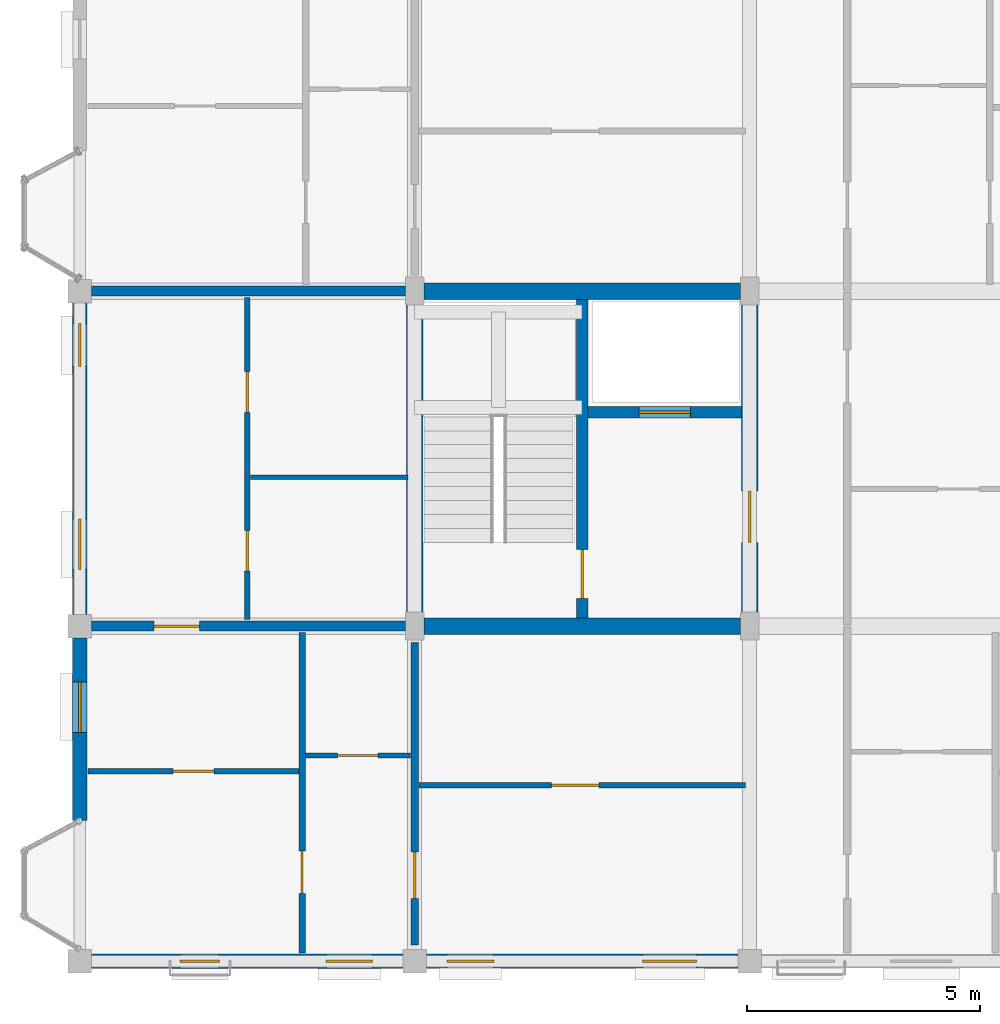
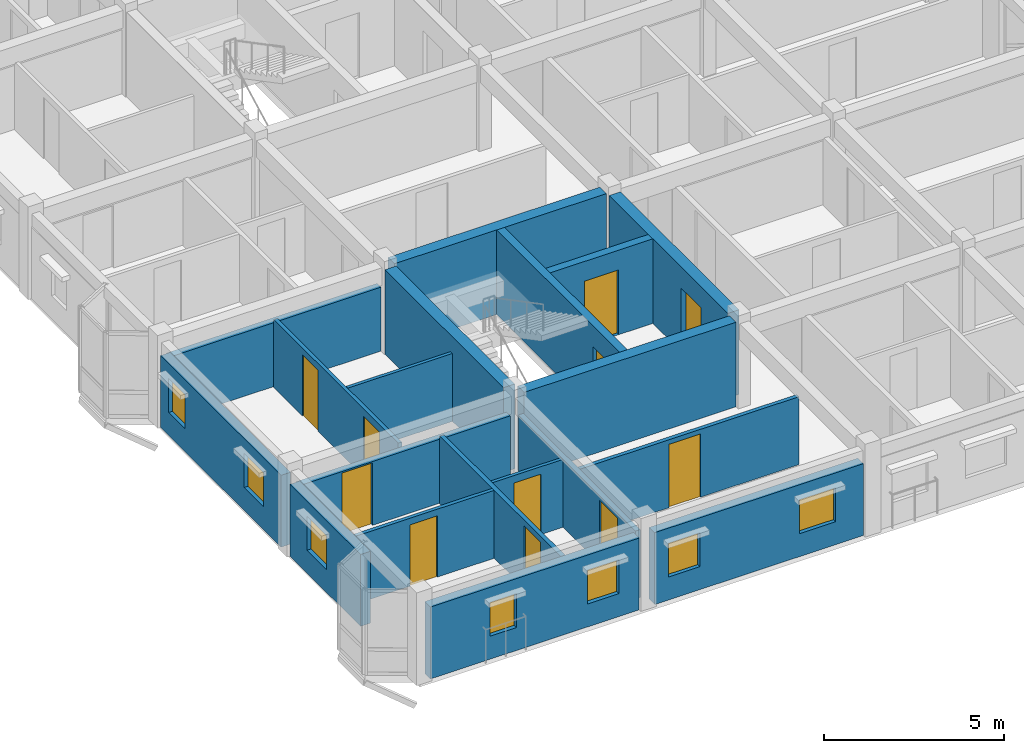
# One storey, part 39 of 64: 19 walls, 11 doors, 7 windows, 18 openings.
"""IFC4 building model written with IfcOpenShell, lengths in metres."""

from ifc_helpers import new_model, si_unit, direction, frame, frame_2d, origin, place, context, subcontext, project, spatial, rectangle, extrude, material, layer, layer_set, type_object, element, fill, save


model = new_model("IFC4")

# Units and contexts
model_context = context("Model", 3, precision=1e-05, world=origin(), true_north=direction((0.0, 1.0)))
body_context = subcontext(model_context, "Body", "Model", "MODEL_VIEW")
ifc_project = project(units=[si_unit("LENGTHUNIT", "METRE"), si_unit("AREAUNIT", "SQUARE_METRE"), si_unit("VOLUMEUNIT", "CUBIC_METRE"), si_unit("PLANEANGLEUNIT", "RADIAN"), si_unit("MASSUNIT", "GRAM", prefix="KILO"), si_unit("THERMODYNAMICTEMPERATUREUNIT", "KELVIN"), si_unit("POWERUNIT", "WATT")], contexts=[model_context])

# Site, building, storey
site_placement = place(None, origin())
site = spatial("IfcSite", under=ifc_project, at=site_placement, CompositionType="ELEMENT")
building_placement = place(site_placement, origin())
building = spatial("IfcBuilding", under=site, at=building_placement, Name="Tavuni Mirador Residences", CompositionType="ELEMENT")
storey_placement = place(building_placement, frame((0.0, 0.0, 26.550048828125)))
storey = spatial("IfcBuildingStorey", under=building, at=storey_placement, Name="L08", CompositionType="ELEMENT", Elevation=26.550048828125)

# Wall, opening, door
ifc_material_1 = material(Name="Precast concrete C40/50", Category="concrete")
ifc_layer_1 = layer(ifc_material_1, 0.25, Name="Precast concrete C40/50", Category="concrete")
ifc_layer_set_1 = layer_set([ifc_layer_1], Name="Precast concrete C40/50")
wall_type_1 = type_object("IfcWallType", Name="WT-COR250", PredefinedType="SHEAR", material=ifc_layer_set_1)
wall_1_placement = place(storey_placement, frame((14.39990234375, 14.580078125, 0.0), z_axis=(0.0, 0.0, 1.0), x_axis=(0.0, 1.0, 0.0)))
wall_1 = element("IfcWall", 1, at=wall_1_placement, inside=storey, type_object=wall_type_1, Name="CWALL-C1-L08-MID", PredefinedType="SHEAR", context=body_context, shape_type="SweptSolid", body=[
    extrude(rectangle(XDim=6.83984375, YDim=0.25, at=frame_2d((3.419921875, 0.0))), origin(), (0.0, 0.0, 1.0), 2.869873046875),
])
opening_1_placement = place(wall_1_placement, frame((0.419921875, 0.0, 0.0)))
opening_1 = element("IfcOpeningElement", 2, at=opening_1_placement, cuts=wall_1, Name="Opening D-01", PredefinedType="OPENING", context=body_context, shape_type="SweptSolid", body=[
    extrude(rectangle(XDim=1.050048828125, YDim=2.14990234375, at=frame_2d((0.52490234375, 1.074951171875))), frame((0.0, 0.135009765625, 0.0), z_axis=(0.0, -1.0, 0.0), x_axis=(1.0, 0.0, 0.0)), (0.0, 0.0, 1.0), 0.27001953125),
])
ifc_material_2 = material(Name="Solid core iroko timber", Category="wood")
door_type_1 = type_object("IfcDoorType", Name="DT-ST1050", OperationType="NOTDEFINED", PredefinedType="DOOR", material=ifc_material_2)
door_1_placement = place(opening_1_placement, origin())
door_1 = element("IfcDoor", 3, at=door_1_placement, inside=storey, type_object=door_type_1, Name="DR-2031", OperationType="SINGLE_SWING_LEFT", OverallHeight=2.14990234375, OverallWidth=1.050048828125, PredefinedType="DOOR", context=body_context, shape_type="SweptSolid", body=[
    extrude(rectangle(XDim=1.050048828125, YDim=2.14990234375, at=frame_2d((0.52490234375, 1.074951171875))), frame((0.0, 0.02490234375, 0.0), z_axis=(0.0, -1.0, 0.0), x_axis=(1.0, 0.0, 0.0)), (0.0, 0.0, 1.0), 0.050048828125),
])
fill(opening_1, door_1)

wall_2_placement = place(storey_placement, frame((14.52490234375, 19.0, 0.0), z_axis=(0.0, 0.0, 1.0), x_axis=(1.0, 0.0, 0.0)))
wall_2 = element("IfcWall", 4, at=wall_2_placement, inside=storey, type_object=wall_type_1, Name="CWALL-C1-L08-SHF", PredefinedType="SHEAR", context=body_context, shape_type="SweptSolid", body=[
    extrude(rectangle(XDim=3.295166015625, YDim=0.25, at=frame_2d((1.6474609375, 0.0))), origin(), (0.0, 0.0, 1.0), 2.869873046875),
])
opening_2_placement = place(wall_2_placement, frame((1.10009765625, 0.0, 0.0)))
opening_2 = element("IfcOpeningElement", 5, at=opening_2_placement, cuts=wall_2, Name="Opening LD-01", PredefinedType="OPENING", context=body_context, shape_type="SweptSolid", body=[
    extrude(rectangle(XDim=1.10009765625, YDim=2.199951171875, at=frame_2d((0.550048828125, 1.10009765625))), frame((0.0, 0.135009765625, 0.0), z_axis=(0.0, -1.0, 0.0), x_axis=(1.0, 0.0, 0.0)), (0.0, 0.0, 1.0), 0.27001953125),
])
ifc_material_3 = material(Name="Structural steel S355", Category="steel")
door_type_2 = type_object("IfcDoorType", Name="DT-LD-FF", OperationType="SLIDING_TO_LEFT", PredefinedType="DOOR", material=ifc_material_3)
door_2_placement = place(opening_2_placement, origin())
door_2 = element("IfcDoor", 6, at=door_2_placement, inside=storey, type_object=door_type_2, Name="Lift landing door FL-A1 L08", OperationType="SLIDING_TO_LEFT", OverallHeight=2.199951171875, OverallWidth=1.10009765625, PredefinedType="DOOR", context=body_context, shape_type="SweptSolid", body=[
    extrude(rectangle(XDim=1.10009765625, YDim=2.199951171875, at=frame_2d((0.550048828125, 1.10009765625))), frame((0.0, 0.02490234375, 0.0), z_axis=(0.0, -1.0, 0.0), x_axis=(1.0, 0.0, 0.0)), (0.0, 0.0, 1.0), 0.050048828125),
])
fill(opening_2, door_2)

# Walls
ifc_layer_2 = layer(ifc_material_1, 0.360107421875, Name="Precast concrete C40/50", Category="concrete")
ifc_layer_set_2 = layer_set([ifc_layer_2], Name="Precast concrete C40/50")
wall_type_2 = type_object("IfcWallType", Name="WT-COR360", PredefinedType="SHEAR", material=ifc_layer_set_2)
wall_3_placement = place(storey_placement, frame((10.800048828125, 14.699951171875, 0.0), z_axis=(0.0, 0.0, 1.0), x_axis=(0.0, 1.0, 0.0)))
element("IfcWall", 7, at=wall_3_placement, inside=storey, type_object=wall_type_2, Name="CWALL-C1-L08-W", PredefinedType="SHEAR", context=body_context, shape_type="SweptSolid", body=[
    extrude(rectangle(XDim=6.60009765625, YDim=0.360107421875, at=frame_2d((3.300048828125, 0.0))), origin(), (0.0, 0.0, 1.0), 2.869873046875),
])
wall_4_placement = place(storey_placement, frame((11.0, 21.60009765625, 0.0), z_axis=(0.0, 0.0, 1.0), x_axis=(1.0, 0.0, 0.0)))
element("IfcWall", 8, at=wall_4_placement, inside=storey, type_object=wall_type_2, Name="CWALL-C1-L08-N", PredefinedType="SHEAR", context=body_context, shape_type="SweptSolid", body=[
    extrude(rectangle(XDim=6.800048828125, YDim=0.360107421875, at=frame_2d((3.39990234375, 0.0))), origin(), (0.0, 0.0, 1.0), 2.869873046875),
])

# Wall, opening, door
wall_5_placement = place(storey_placement, frame((18.0, 14.699951171875, 0.0), z_axis=(0.0, 0.0, 1.0), x_axis=(0.0, 1.0, 0.0)))
wall_5 = element("IfcWall", 9, at=wall_5_placement, inside=storey, type_object=wall_type_2, Name="CWALL-C1-L08-E", PredefinedType="SHEAR", context=body_context, shape_type="SweptSolid", body=[
    extrude(rectangle(XDim=6.60009765625, YDim=0.360107421875, at=frame_2d((3.300048828125, 0.0))), origin(), (0.0, 0.0, 1.0), 2.869873046875),
])
opening_3_placement = place(wall_5_placement, frame((1.5, 0.0, 0.0)))
opening_3 = element("IfcOpeningElement", 10, at=opening_3_placement, cuts=wall_5, Name="Opening D-02", PredefinedType="OPENING", context=body_context, shape_type="SweptSolid", body=[
    extrude(rectangle(XDim=1.10009765625, YDim=2.14990234375, at=frame_2d((0.550048828125, 1.074951171875))), frame((0.0, 0.18994140625, 0.0), z_axis=(0.0, -1.0, 0.0), x_axis=(1.0, 0.0, 0.0)), (0.0, 0.0, 1.0), 0.380126953125),
])
door_type_3 = type_object("IfcDoorType", Name="DT-LOB1100", OperationType="NOTDEFINED", PredefinedType="DOOR", material=ifc_material_2)
door_3_placement = place(opening_3_placement, frame((1.10009765625, 0.0, 0.0), z_axis=(0.0, 0.0, 1.0), x_axis=(-1.0, 0.0, 0.0)))
door_3 = element("IfcDoor", 11, at=door_3_placement, inside=storey, type_object=door_type_3, Name="DR-2030", OperationType="SINGLE_SWING_LEFT", OverallHeight=2.14990234375, OverallWidth=1.10009765625, PredefinedType="DOOR", context=body_context, shape_type="SweptSolid", body=[
    extrude(rectangle(XDim=1.10009765625, YDim=2.14990234375, at=frame_2d((0.550048828125, 1.074951171875))), frame((0.0, 0.02490234375, 0.0), z_axis=(0.0, -1.0, 0.0), x_axis=(1.0, 0.0, 0.0)), (0.0, 0.0, 1.0), 0.050048828125),
])
fill(opening_3, door_3)

# Wall
wall_6_placement = place(storey_placement, frame((11.0, 14.39990234375, 0.0), z_axis=(0.0, 0.0, 1.0), x_axis=(1.0, 0.0, 0.0)))
element("IfcWall", 12, at=wall_6_placement, inside=storey, type_object=wall_type_2, Name="CWALL-C1-L08-SS", PredefinedType="SHEAR", context=body_context, shape_type="SweptSolid", body=[
    extrude(rectangle(XDim=6.800048828125, YDim=0.360107421875, at=frame_2d((3.39990234375, 0.0))), origin(), (0.0, 0.0, 1.0), 2.869873046875),
])

# Wall, opening, door
ifc_layer_3 = layer(ifc_material_1, 0.1650390625, Name="Precast concrete C40/50", Category="concrete")
ifc_layer_set_3 = layer_set([ifc_layer_3], Name="Precast concrete C40/50")
wall_type_3 = type_object("IfcWallType", Name="WT-CORR165", PredefinedType="PARTITIONING", material=ifc_layer_set_3)
wall_7_placement = place(storey_placement, frame((10.800048828125, 7.550048828125, 0.0), z_axis=(0.0, 0.0, 1.0), x_axis=(0.0, 1.0, 0.0)))
wall_7 = element("IfcWall", 13, at=wall_7_placement, inside=storey, type_object=wall_type_3, Name="CORW-BLK-A-L08-1-00", PredefinedType="PARTITIONING", context=body_context, shape_type="SweptSolid", body=[
    extrude(rectangle(XDim=6.5, YDim=0.1650390625, at=frame_2d((3.25, 0.0))), origin(), (0.0, 0.0, 1.0), 2.304931640625),
])
opening_4_placement = place(wall_7_placement, frame((1.0, 0.0, 0.0)))
opening_4 = element("IfcOpeningElement", 14, at=opening_4_placement, cuts=wall_7, Name="Opening D-03", PredefinedType="OPENING", context=body_context, shape_type="SweptSolid", body=[
    extrude(rectangle(XDim=1.0, YDim=2.14990234375, at=frame_2d((0.5, 1.074951171875))), frame((0.0, 0.092529296875, 0.0), z_axis=(0.0, -1.0, 0.0), x_axis=(1.0, 0.0, 0.0)), (0.0, 0.0, 1.0), 0.18505859375),
])
door_type_4 = type_object("IfcDoorType", Name="DT-FD60-1000", OperationType="NOTDEFINED", PredefinedType="DOOR", material=ifc_material_2)
door_4_placement = place(opening_4_placement, origin())
door_4 = element("IfcDoor", 15, at=door_4_placement, inside=storey, type_object=door_type_4, Name="DR-2466", OperationType="SINGLE_SWING_LEFT", OverallHeight=2.14990234375, OverallWidth=1.0, PredefinedType="DOOR", context=body_context, shape_type="SweptSolid", body=[
    extrude(rectangle(XDim=1.0, YDim=2.14990234375, at=frame_2d((0.5, 1.074951171875))), frame((0.0, 0.02490234375, 0.0), z_axis=(0.0, -1.0, 0.0), x_axis=(1.0, 0.0, 0.0)), (0.0, 0.0, 1.0), 0.050048828125),
])
fill(opening_4, door_4)

# Wall, openings, windows
ifc_material_4 = material(Name="Sgraffito lime-rendered precast concrete C40/50", Category="concrete")
ifc_layer_4 = layer(ifc_material_4, 0.304931640625, Name="Sgraffito lime-rendered precast concrete C40/50", Category="concrete")
ifc_layer_set_4 = layer_set([ifc_layer_4], Name="Sgraffito lime-rendered precast concrete C40/50")
wall_type_4 = type_object("IfcWallType", Name="WT-EXT-PC305", PredefinedType="SOLIDWALL", material=ifc_layer_set_4)
wall_8_placement = place(storey_placement, frame((11.050048828125, 7.199951171875, 0.0), z_axis=(0.0, 0.0, 1.0), x_axis=(1.0, 0.0, 0.0)))
wall_8 = element("IfcWall", 16, at=wall_8_placement, inside=storey, type_object=wall_type_4, Name="EW-BLK-A-L08-S01", PredefinedType="SOLIDWALL", context=body_context, shape_type="SweptSolid", body=[
    extrude(rectangle(XDim=6.699951171875, YDim=0.304931640625, at=frame_2d((3.35009765625, 0.0))), origin(), (0.0, 0.0, 1.0), 2.43994140625),
])
opening_5_placement = place(wall_8_placement, frame((0.449951171875, 0.0, 0.780029296875)))
opening_5 = element("IfcOpeningElement", 17, at=opening_5_placement, cuts=wall_8, Name="Opening WN-03", PredefinedType="OPENING", context=body_context, shape_type="SweptSolid", body=[
    extrude(rectangle(XDim=1.0, YDim=1.14990234375, at=frame_2d((0.5, 0.574951171875))), frame((0.0, 0.16259765625, 0.0), z_axis=(0.0, -1.0, 0.0), x_axis=(1.0, 0.0, 0.0)), (0.0, 0.0, 1.0), 0.324951171875),
])
opening_6_placement = place(wall_8_placement, frame((4.64990234375, 0.0, 0.780029296875)))
opening_6 = element("IfcOpeningElement", 18, at=opening_6_placement, cuts=wall_8, Name="Opening WN-05", PredefinedType="OPENING", context=body_context, shape_type="SweptSolid", body=[
    extrude(rectangle(XDim=1.159912109375, YDim=1.14990234375, at=frame_2d((0.580078125, 0.574951171875))), frame((0.0, 0.16259765625, 0.0), z_axis=(0.0, -1.0, 0.0), x_axis=(1.0, 0.0, 0.0)), (0.0, 0.0, 1.0), 0.324951171875),
])
ifc_material_5 = material(Name="Laminated solar-control glass", Category="glass")
window_type_1 = type_object("IfcWindowType", Name="WNT-03", PartitioningType="SINGLE_PANEL", PredefinedType="WINDOW", material=ifc_material_5)
window_1_placement = place(opening_5_placement, origin())
window_1 = element("IfcWindow", 19, at=window_1_placement, inside=storey, type_object=window_type_1, Name="WIN-0294", OverallHeight=1.14990234375, OverallWidth=1.0, PartitioningType="SINGLE_PANEL", PredefinedType="WINDOW", context=body_context, shape_type="SweptSolid", body=[
    extrude(rectangle(XDim=1.0, YDim=1.14990234375, at=frame_2d((0.5, 0.574951171875))), frame((0.0, 0.030029296875, 0.0), z_axis=(0.0, -1.0, 0.0), x_axis=(1.0, 0.0, 0.0)), (0.0, 0.0, 1.0), 0.06005859375),
])
fill(opening_5, window_1)
window_type_2 = type_object("IfcWindowType", Name="WNT-05", PartitioningType="SINGLE_PANEL", PredefinedType="WINDOW", material=ifc_material_5)
window_2_placement = place(opening_6_placement, origin())
window_2 = element("IfcWindow", 20, at=window_2_placement, inside=storey, type_object=window_type_2, Name="WIN-0295", OverallHeight=1.14990234375, OverallWidth=1.159912109375, PartitioningType="SINGLE_PANEL", PredefinedType="WINDOW", context=body_context, shape_type="SweptSolid", body=[
    extrude(rectangle(XDim=1.159912109375, YDim=1.14990234375, at=frame_2d((0.580078125, 0.574951171875))), frame((0.0, 0.030029296875, 0.0), z_axis=(0.0, -1.0, 0.0), x_axis=(1.0, 0.0, 0.0)), (0.0, 0.0, 1.0), 0.06005859375),
])
fill(opening_6, window_2)

wall_9_placement = place(storey_placement, frame((3.60009765625, 21.35009765625, 0.0), z_axis=(0.0, 0.0, 1.0), x_axis=(0.0, -1.0, 0.0)))
wall_9 = element("IfcWall", 21, at=wall_9_placement, inside=storey, type_object=wall_type_4, Name="EW-BLK-A-L08-W01", PredefinedType="SOLIDWALL", context=body_context, shape_type="SweptSolid", body=[
    extrude(rectangle(XDim=6.7001953125, YDim=0.304931640625, at=frame_2d((3.35009765625, 0.0))), origin(), (0.0, 0.0, 1.0), 2.43994140625),
])
opening_7_placement = place(wall_9_placement, frame((0.449951171875, 0.0, 0.780029296875)))
opening_7 = element("IfcOpeningElement", 22, at=opening_7_placement, cuts=wall_9, Name="Opening WN-02", PredefinedType="OPENING", context=body_context, shape_type="SweptSolid", body=[
    extrude(rectangle(XDim=0.919921875, YDim=1.14990234375, at=frame_2d((0.4599609375, 0.574951171875))), frame((0.0, 0.16259765625, 0.0), z_axis=(0.0, -1.0, 0.0), x_axis=(1.0, 0.0, 0.0)), (0.0, 0.0, 1.0), 0.324951171875),
])
opening_8_placement = place(wall_9_placement, frame((4.64990234375, 0.0, 0.780029296875)))
opening_8 = element("IfcOpeningElement", 23, at=opening_8_placement, cuts=wall_9, Name="Opening WN-04", PredefinedType="OPENING", context=body_context, shape_type="SweptSolid", body=[
    extrude(rectangle(XDim=1.080078125, YDim=1.14990234375, at=frame_2d((0.5400390625, 0.574951171875))), frame((0.0, 0.16259765625, 0.0), z_axis=(0.0, -1.0, 0.0), x_axis=(1.0, 0.0, 0.0)), (0.0, 0.0, 1.0), 0.324951171875),
])
window_type_3 = type_object("IfcWindowType", Name="WNT-02", PartitioningType="SINGLE_PANEL", PredefinedType="WINDOW", material=ifc_material_5)
window_3_placement = place(opening_7_placement, origin())
window_3 = element("IfcWindow", 24, at=window_3_placement, inside=storey, type_object=window_type_3, Name="WIN-0323", OverallHeight=1.14990234375, OverallWidth=0.919921875, PartitioningType="SINGLE_PANEL", PredefinedType="WINDOW", context=body_context, shape_type="SweptSolid", body=[
    extrude(rectangle(XDim=0.919921875, YDim=1.14990234375, at=frame_2d((0.4599609375, 0.574951171875))), frame((0.0, 0.030029296875, 0.0), z_axis=(0.0, -1.0, 0.0), x_axis=(1.0, 0.0, 0.0)), (0.0, 0.0, 1.0), 0.06005859375),
])
fill(opening_7, window_3)
window_type_4 = type_object("IfcWindowType", Name="WNT-04", PartitioningType="SINGLE_PANEL", PredefinedType="WINDOW", material=ifc_material_5)
window_4_placement = place(opening_8_placement, origin())
window_4 = element("IfcWindow", 25, at=window_4_placement, inside=storey, type_object=window_type_4, Name="WIN-0324", OverallHeight=1.14990234375, OverallWidth=1.080078125, PartitioningType="SINGLE_PANEL", PredefinedType="WINDOW", context=body_context, shape_type="SweptSolid", body=[
    extrude(rectangle(XDim=1.080078125, YDim=1.14990234375, at=frame_2d((0.5400390625, 0.574951171875))), frame((0.0, 0.030029296875, 0.0), z_axis=(0.0, -1.0, 0.0), x_axis=(1.0, 0.0, 0.0)), (0.0, 0.0, 1.0), 0.06005859375),
])
fill(opening_8, window_4)

ifc_layer_5 = layer(ifc_material_4, 0.31494140625, Name="Sgraffito lime-rendered precast concrete C40/50", Category="concrete")
ifc_layer_set_5 = layer_set([ifc_layer_5], Name="Sgraffito lime-rendered precast concrete C40/50")
wall_type_5 = type_object("IfcWallType", Name="WT-EXT-PC315", PredefinedType="SOLIDWALL", material=ifc_layer_set_5)
wall_10_placement = place(storey_placement, frame((3.85009765625, 7.199951171875, 0.0), z_axis=(0.0, 0.0, 1.0), x_axis=(1.0, 0.0, 0.0)))
wall_10 = element("IfcWall", 26, at=wall_10_placement, inside=storey, type_object=wall_type_5, Name="EW-BLK-A-L08-S00", PredefinedType="SOLIDWALL", context=body_context, shape_type="SweptSolid", body=[
    extrude(rectangle(XDim=6.699951171875, YDim=0.31494140625, at=frame_2d((3.35009765625, 0.0))), origin(), (0.0, 0.0, 1.0), 2.43994140625),
])
opening_9_placement = place(wall_10_placement, frame((1.909912109375, 0.0, 0.780029296875)))
opening_9 = element("IfcOpeningElement", 27, at=opening_9_placement, cuts=wall_10, Name="Opening WN-01", PredefinedType="OPENING", context=body_context, shape_type="SweptSolid", body=[
    extrude(rectangle(XDim=0.85009765625, YDim=1.14990234375, at=frame_2d((0.425048828125, 0.574951171875))), frame((0.0, 0.16748046875, 0.0), z_axis=(0.0, -1.0, 0.0), x_axis=(1.0, 0.0, 0.0)), (0.0, 0.0, 1.0), 0.3349609375),
])
opening_10_placement = place(wall_10_placement, frame((5.044921875, 0.0, 0.780029296875)))
opening_10 = element("IfcOpeningElement", 28, at=opening_10_placement, cuts=wall_10, Name="Opening WN-03", PredefinedType="OPENING", context=body_context, shape_type="SweptSolid", body=[
    extrude(rectangle(XDim=1.0, YDim=1.14990234375, at=frame_2d((0.5, 0.574951171875))), frame((0.0, 0.16748046875, 0.0), z_axis=(0.0, -1.0, 0.0), x_axis=(1.0, 0.0, 0.0)), (0.0, 0.0, 1.0), 0.3349609375),
])
window_type_5 = type_object("IfcWindowType", Name="WNT-01", PartitioningType="SINGLE_PANEL", PredefinedType="WINDOW", material=ifc_material_5)
window_5_placement = place(opening_9_placement, origin())
window_5 = element("IfcWindow", 29, at=window_5_placement, inside=storey, type_object=window_type_5, Name="WIN-0292", OverallHeight=1.14990234375, OverallWidth=0.85009765625, PartitioningType="SINGLE_PANEL", PredefinedType="WINDOW", context=body_context, shape_type="SweptSolid", body=[
    extrude(rectangle(XDim=0.85009765625, YDim=1.14990234375, at=frame_2d((0.425048828125, 0.574951171875))), frame((0.0, 0.030029296875, 0.0), z_axis=(0.0, -1.0, 0.0), x_axis=(1.0, 0.0, 0.0)), (0.0, 0.0, 1.0), 0.06005859375),
])
fill(opening_9, window_5)
window_6_placement = place(opening_10_placement, origin())
window_6 = element("IfcWindow", 30, at=window_6_placement, inside=storey, type_object=window_type_1, Name="WIN-0293", OverallHeight=1.14990234375, OverallWidth=1.0, PartitioningType="SINGLE_PANEL", PredefinedType="WINDOW", context=body_context, shape_type="SweptSolid", body=[
    extrude(rectangle(XDim=1.0, YDim=1.14990234375, at=frame_2d((0.5, 0.574951171875))), frame((0.0, 0.030029296875, 0.0), z_axis=(0.0, -1.0, 0.0), x_axis=(1.0, 0.0, 0.0)), (0.0, 0.0, 1.0), 0.06005859375),
])
fill(opening_10, window_6)

# Wall, opening, window
wall_11_placement = place(storey_placement, frame((3.60009765625, 14.14990234375, 0.0), z_axis=(0.0, 0.0, 1.0), x_axis=(0.0, -1.0, 0.0)))
wall_11 = element("IfcWall", 31, at=wall_11_placement, inside=storey, type_object=wall_type_5, Name="EW-BLK-A-L08-W00", PredefinedType="SOLIDWALL", context=body_context, shape_type="SweptSolid", body=[
    extrude(rectangle(XDim=3.929931640625, YDim=0.31494140625, at=frame_2d((1.96484375, 0.0))), origin(), (0.0, 0.0, 1.0), 2.43994140625),
])
opening_11_placement = place(wall_11_placement, frame((0.949951171875, 0.0, 0.780029296875)))
opening_11 = element("IfcOpeningElement", 32, at=opening_11_placement, cuts=wall_11, Name="Opening WN-04", PredefinedType="OPENING", context=body_context, shape_type="SweptSolid", body=[
    extrude(rectangle(XDim=1.080078125, YDim=1.14990234375, at=frame_2d((0.5400390625, 0.574951171875))), frame((0.0, 0.16748046875, 0.0), z_axis=(0.0, -1.0, 0.0), x_axis=(1.0, 0.0, 0.0)), (0.0, 0.0, 1.0), 0.3349609375),
])
window_7_placement = place(opening_11_placement, origin())
window_7 = element("IfcWindow", 33, at=window_7_placement, inside=storey, type_object=window_type_4, Name="WIN-0325", OverallHeight=1.14990234375, OverallWidth=1.080078125, PartitioningType="SINGLE_PANEL", PredefinedType="WINDOW", context=body_context, shape_type="SweptSolid", body=[
    extrude(rectangle(XDim=1.080078125, YDim=1.14990234375, at=frame_2d((0.5400390625, 0.574951171875))), frame((0.0, 0.030029296875, 0.0), z_axis=(0.0, -1.0, 0.0), x_axis=(1.0, 0.0, 0.0)), (0.0, 0.0, 1.0), 0.06005859375),
])
fill(opening_11, window_7)

# Wall, opening, door
ifc_material_6 = material(Name="Acoustic gypsum and concrete block partition", Category="concrete")
ifc_layer_6 = layer(ifc_material_6, 0.10498046875, Name="Acoustic gypsum and concrete block partition", Category="concrete")
ifc_layer_set_6 = layer_set([ifc_layer_6], Name="Acoustic gypsum and concrete block partition")
wall_type_6 = type_object("IfcWallType", Name="WT-PART105", PredefinedType="PARTITIONING", material=ifc_layer_set_6)
wall_12_placement = place(storey_placement, frame((8.449951171875, 11.6201171875, 0.0), z_axis=(0.0, 0.0, 1.0), x_axis=(1.0, 0.0, 0.0)))
wall_12 = element("IfcWall", 34, at=wall_12_placement, inside=storey, type_object=wall_type_6, Name="PW-BLK-A-L08-W00-IN1", PredefinedType="PARTITIONING", context=body_context, shape_type="SweptSolid", body=[
    extrude(rectangle(XDim=2.260009765625, YDim=0.10498046875, at=frame_2d((1.1298828125, 0.0))), origin(), (0.0, 0.0, 1.0), 2.304931640625),
])
opening_12_placement = place(wall_12_placement, frame((0.695068359375, 0.0, 0.0)))
opening_12 = element("IfcOpeningElement", 35, at=opening_12_placement, cuts=wall_12, Name="Opening D-10", PredefinedType="OPENING", context=body_context, shape_type="SweptSolid", body=[
    extrude(rectangle(XDim=0.8701171875, YDim=2.050048828125, at=frame_2d((0.43505859375, 1.02490234375))), frame((0.0, 0.0625, 0.0), z_axis=(0.0, -1.0, 0.0), x_axis=(1.0, 0.0, 0.0)), (0.0, 0.0, 1.0), 0.125),
])
door_type_5 = type_object("IfcDoorType", Name="DT-WC870", OperationType="NOTDEFINED", PredefinedType="DOOR", material=ifc_material_2)
door_5_placement = place(opening_12_placement, origin())
door_5 = element("IfcDoor", 36, at=door_5_placement, inside=storey, type_object=door_type_5, Name="DR-3199", OperationType="SINGLE_SWING_LEFT", OverallHeight=2.050048828125, OverallWidth=0.8701171875, PredefinedType="DOOR", context=body_context, shape_type="SweptSolid", body=[
    extrude(rectangle(XDim=0.8701171875, YDim=2.050048828125, at=frame_2d((0.43505859375, 1.02490234375))), frame((0.0, 0.02490234375, 0.0), z_axis=(0.0, -1.0, 0.0), x_axis=(1.0, 0.0, 0.0)), (0.0, 0.0, 1.0), 0.050048828125),
])
fill(opening_12, door_5)

# Wall
wall_13_placement = place(storey_placement, frame((7.27001953125, 17.60009765625, 0.0), z_axis=(0.0, 0.0, 1.0), x_axis=(1.0, 0.0, 0.0)))
element("IfcWall", 37, at=wall_13_placement, inside=storey, type_object=wall_type_6, Name="PW-BLK-A-L08-WC01-H", PredefinedType="PARTITIONING", context=body_context, shape_type="SweptSolid", body=[
    extrude(rectangle(XDim=3.389892578125, YDim=0.10498046875, at=frame_2d((1.69482421875, 0.0))), origin(), (0.0, 0.0, 1.0), 2.304931640625),
])

# Wall, opening, door
ifc_layer_7 = layer(ifc_material_6, 0.114990234375, Name="Acoustic gypsum and concrete block partition", Category="concrete")
ifc_layer_set_7 = layer_set([ifc_layer_7], Name="Acoustic gypsum and concrete block partition")
wall_type_7 = type_object("IfcWallType", Name="WT-PART115", PredefinedType="PARTITIONING", material=ifc_layer_set_7)
wall_14_placement = place(storey_placement, frame((3.77490234375, 11.280029296875, 0.0), z_axis=(0.0, 0.0, 1.0), x_axis=(1.0, 0.0, 0.0)))
wall_14 = element("IfcWall", 38, at=wall_14_placement, inside=storey, type_object=wall_type_7, Name="PW-BLK-A-L08-W00-OUT", PredefinedType="PARTITIONING", context=body_context, shape_type="SweptSolid", body=[
    extrude(rectangle(XDim=4.53515625, YDim=0.114990234375, at=frame_2d((2.267578125, 0.0))), origin(), (0.0, 0.0, 1.0), 2.304931640625),
])
opening_13_placement = place(wall_14_placement, frame((1.827392578125, 0.0, 0.0)))
opening_13 = element("IfcOpeningElement", 39, at=opening_13_placement, cuts=wall_14, Name="Opening D-08", PredefinedType="OPENING", context=body_context, shape_type="SweptSolid", body=[
    extrude(rectangle(XDim=0.8798828125, YDim=2.080078125, at=frame_2d((0.43994140625, 1.0400390625))), frame((0.0, 0.0673828125, 0.0), z_axis=(0.0, -1.0, 0.0), x_axis=(1.0, 0.0, 0.0)), (0.0, 0.0, 1.0), 0.135009765625),
])
door_type_6 = type_object("IfcDoorType", Name="DT-BED880", OperationType="NOTDEFINED", PredefinedType="DOOR", material=ifc_material_2)
door_6_placement = place(opening_13_placement, origin())
door_6 = element("IfcDoor", 40, at=door_6_placement, inside=storey, type_object=door_type_6, Name="DR-3198", OperationType="SINGLE_SWING_RIGHT", OverallHeight=2.080078125, OverallWidth=0.8798828125, PredefinedType="DOOR", context=body_context, shape_type="SweptSolid", body=[
    extrude(rectangle(XDim=0.8798828125, YDim=2.080078125, at=frame_2d((0.43994140625, 1.0400390625))), frame((0.0, 0.02490234375, 0.0), z_axis=(0.0, -1.0, 0.0), x_axis=(1.0, 0.0, 0.0)), (0.0, 0.0, 1.0), 0.050048828125),
])
fill(opening_13, door_6)

# Wall, openings, doors
wall_15_placement = place(storey_placement, frame((7.199951171875, 14.5400390625, 0.0), z_axis=(0.0, 0.0, 1.0), x_axis=(0.0, 1.0, 0.0)))
wall_15 = element("IfcWall", 41, at=wall_15_placement, inside=storey, type_object=wall_type_7, Name="PW-BLK-A-L08-WC01-M", PredefinedType="PARTITIONING", context=body_context, shape_type="SweptSolid", body=[
    extrude(rectangle(XDim=6.919921875, YDim=0.114990234375, at=frame_2d((3.4599609375, 0.0))), origin(), (0.0, 0.0, 1.0), 2.304931640625),
])
opening_14_placement = place(wall_15_placement, frame((1.050048828125, 0.0, 0.0)))
opening_14 = element("IfcOpeningElement", 42, at=opening_14_placement, cuts=wall_15, Name="Opening D-10", PredefinedType="OPENING", context=body_context, shape_type="SweptSolid", body=[
    extrude(rectangle(XDim=0.8701171875, YDim=2.050048828125, at=frame_2d((0.43505859375, 1.02490234375))), frame((0.0, 0.0673828125, 0.0), z_axis=(0.0, -1.0, 0.0), x_axis=(1.0, 0.0, 0.0)), (0.0, 0.0, 1.0), 0.135009765625),
])
opening_15_placement = place(wall_15_placement, frame((4.449951171875, 0.0, 0.0)))
opening_15 = element("IfcOpeningElement", 43, at=opening_15_placement, cuts=wall_15, Name="Opening D-08", PredefinedType="OPENING", context=body_context, shape_type="SweptSolid", body=[
    extrude(rectangle(XDim=0.8798828125, YDim=2.080078125, at=frame_2d((0.43994140625, 1.0400390625))), frame((0.0, 0.0673828125, 0.0), z_axis=(0.0, -1.0, 0.0), x_axis=(1.0, 0.0, 0.0)), (0.0, 0.0, 1.0), 0.135009765625),
])
door_7_placement = place(opening_15_placement, origin())
door_7 = element("IfcDoor", 44, at=door_7_placement, inside=storey, type_object=door_type_6, Name="DR-3205", OperationType="SINGLE_SWING_LEFT", OverallHeight=2.080078125, OverallWidth=0.8798828125, PredefinedType="DOOR", context=body_context, shape_type="SweptSolid", body=[
    extrude(rectangle(XDim=0.8798828125, YDim=2.080078125, at=frame_2d((0.43994140625, 1.0400390625))), frame((0.0, 0.02490234375, 0.0), z_axis=(0.0, -1.0, 0.0), x_axis=(1.0, 0.0, 0.0)), (0.0, 0.0, 1.0), 0.050048828125),
])
fill(opening_15, door_7)
door_8_placement = place(opening_14_placement, origin())
door_8 = element("IfcDoor", 45, at=door_8_placement, inside=storey, type_object=door_type_5, Name="DR-3204", OperationType="SINGLE_SWING_RIGHT", OverallHeight=2.050048828125, OverallWidth=0.8701171875, PredefinedType="DOOR", context=body_context, shape_type="SweptSolid", body=[
    extrude(rectangle(XDim=0.8701171875, YDim=2.050048828125, at=frame_2d((0.43505859375, 1.02490234375))), frame((0.0, 0.02490234375, 0.0), z_axis=(0.0, -1.0, 0.0), x_axis=(1.0, 0.0, 0.0)), (0.0, 0.0, 1.0), 0.050048828125),
])
fill(opening_14, door_8)

# Wall, opening, door
ifc_layer_8 = layer(ifc_material_6, 0.125, Name="Acoustic gypsum and concrete block partition", Category="concrete")
ifc_layer_set_8 = layer_set([ifc_layer_8], Name="Acoustic gypsum and concrete block partition")
wall_type_8 = type_object("IfcWallType", Name="WT-PART125", PredefinedType="PARTITIONING", material=ifc_layer_set_8)
wall_16_placement = place(storey_placement, frame((10.889892578125, 10.97998046875, 0.0), z_axis=(0.0, 0.0, 1.0), x_axis=(1.0, 0.0, 0.0)))
wall_16 = element("IfcWall", 46, at=wall_16_placement, inside=storey, type_object=wall_type_8, Name="PW-SPN-BLK-A-L08-00", PredefinedType="PARTITIONING", context=body_context, shape_type="SweptSolid", body=[
    extrude(rectangle(XDim=7.02001953125, YDim=0.125, at=frame_2d((3.510009765625, 0.0))), origin(), (0.0, 0.0, 1.0), 2.304931640625),
])
opening_16_placement = place(wall_16_placement, frame((2.85009765625, 0.0, 0.0)))
opening_16 = element("IfcOpeningElement", 47, at=opening_16_placement, cuts=wall_16, Name="Opening D-13", PredefinedType="OPENING", context=body_context, shape_type="SweptSolid", body=[
    extrude(rectangle(XDim=1.02001953125, YDim=2.14990234375, at=frame_2d((0.510009765625, 1.074951171875))), frame((0.0, 0.072509765625, 0.0), z_axis=(0.0, -1.0, 0.0), x_axis=(1.0, 0.0, 0.0)), (0.0, 0.0, 1.0), 0.14501953125),
])
door_type_7 = type_object("IfcDoorType", Name="DT-MTG1020", OperationType="NOTDEFINED", PredefinedType="DOOR", material=ifc_material_2)
door_9_placement = place(opening_16_placement, origin())
door_9 = element("IfcDoor", 48, at=door_9_placement, inside=storey, type_object=door_type_7, Name="DR-3197", OperationType="SINGLE_SWING_LEFT", OverallHeight=2.14990234375, OverallWidth=1.02001953125, PredefinedType="DOOR", context=body_context, shape_type="SweptSolid", body=[
    extrude(rectangle(XDim=1.02001953125, YDim=2.14990234375, at=frame_2d((0.510009765625, 1.074951171875))), frame((0.0, 0.02490234375, 0.0), z_axis=(0.0, -1.0, 0.0), x_axis=(1.0, 0.0, 0.0)), (0.0, 0.0, 1.0), 0.050048828125),
])
fill(opening_16, door_9)

ifc_layer_9 = layer(ifc_material_6, 0.139892578125, Name="Acoustic gypsum and concrete block partition", Category="concrete")
ifc_layer_set_9 = layer_set([ifc_layer_9], Name="Acoustic gypsum and concrete block partition")
wall_type_9 = type_object("IfcWallType", Name="WT-PART140", PredefinedType="PARTITIONING", material=ifc_layer_set_9)
wall_17_placement = place(storey_placement, frame((8.3798828125, 7.375, 0.0), z_axis=(0.0, 0.0, 1.0), x_axis=(0.0, 1.0, 0.0)))
wall_17 = element("IfcWall", 49, at=wall_17_placement, inside=storey, type_object=wall_type_9, Name="PW-BLK-A-L08-W00-MID", PredefinedType="PARTITIONING", context=body_context, shape_type="SweptSolid", body=[
    extrude(rectangle(XDim=6.885009765625, YDim=0.139892578125, at=frame_2d((3.4423828125, 0.0))), origin(), (0.0, 0.0, 1.0), 2.304931640625),
])
opening_17_placement = place(wall_17_placement, frame((1.27490234375, 0.0, 0.0)))
opening_17 = element("IfcOpeningElement", 50, at=opening_17_placement, cuts=wall_17, Name="Opening D-06", PredefinedType="OPENING", context=body_context, shape_type="SweptSolid", body=[
    extrude(rectangle(XDim=0.919921875, YDim=2.10009765625, at=frame_2d((0.4599609375, 1.050048828125))), frame((0.0, 0.080078125, 0.0), z_axis=(0.0, -1.0, 0.0), x_axis=(1.0, 0.0, 0.0)), (0.0, 0.0, 1.0), 0.159912109375),
])
door_type_8 = type_object("IfcDoorType", Name="DT-INT920", OperationType="NOTDEFINED", PredefinedType="DOOR", material=ifc_material_2)
door_10_placement = place(opening_17_placement, origin())
door_10 = element("IfcDoor", 51, at=door_10_placement, inside=storey, type_object=door_type_8, Name="DR-3200", OperationType="SINGLE_SWING_RIGHT", OverallHeight=2.10009765625, OverallWidth=0.919921875, PredefinedType="DOOR", context=body_context, shape_type="SweptSolid", body=[
    extrude(rectangle(XDim=0.919921875, YDim=2.10009765625, at=frame_2d((0.4599609375, 1.050048828125))), frame((0.0, 0.02490234375, 0.0), z_axis=(0.0, -1.0, 0.0), x_axis=(1.0, 0.0, 0.0)), (0.0, 0.0, 1.0), 0.050048828125),
])
fill(opening_17, door_10)

ifc_layer_10 = layer(ifc_material_1, 0.215087890625, Name="Precast concrete C40/50", Category="concrete")
ifc_layer_set_10 = layer_set([ifc_layer_10], Name="Precast concrete C40/50")
wall_type_10 = type_object("IfcWallType", Name="WT-XW215", PredefinedType="SOLIDWALL", material=ifc_layer_set_10)
wall_18_placement = place(storey_placement, frame((3.85009765625, 14.39990234375, 0.0), z_axis=(0.0, 0.0, 1.0), x_axis=(1.0, 0.0, 0.0)))
wall_18 = element("IfcWall", 52, at=wall_18_placement, inside=storey, type_object=wall_type_10, Name="XW-BLK-A-L08-W-01", PredefinedType="SOLIDWALL", context=body_context, shape_type="SweptSolid", body=[
    extrude(rectangle(XDim=6.75, YDim=0.215087890625, at=frame_2d((3.375, 0.0))), origin(), (0.0, 0.0, 1.0), 2.169921875),
])
opening_18_placement = place(wall_18_placement, frame((1.35009765625, 0.0, 0.0)))
opening_18 = element("IfcOpeningElement", 53, at=opening_18_placement, cuts=wall_18, Name="Opening D-04", PredefinedType="OPENING", context=body_context, shape_type="SweptSolid", body=[
    extrude(rectangle(XDim=0.97998046875, YDim=2.1201171875, at=frame_2d((0.489990234375, 1.06005859375))), frame((0.0, 0.11767578125, 0.0), z_axis=(0.0, -1.0, 0.0), x_axis=(1.0, 0.0, 0.0)), (0.0, 0.0, 1.0), 0.235107421875),
])
door_type_9 = type_object("IfcDoorType", Name="DT-FD60-980", OperationType="NOTDEFINED", PredefinedType="DOOR", material=ifc_material_2)
door_11_placement = place(opening_18_placement, origin())
door_11 = element("IfcDoor", 54, at=door_11_placement, inside=storey, type_object=door_type_9, Name="DR-4690", OperationType="SINGLE_SWING_LEFT", OverallHeight=2.1201171875, OverallWidth=0.97998046875, PredefinedType="DOOR", context=body_context, shape_type="SweptSolid", body=[
    extrude(rectangle(XDim=0.97998046875, YDim=2.1201171875, at=frame_2d((0.489990234375, 1.06005859375))), frame((0.0, 0.02490234375, 0.0), z_axis=(0.0, -1.0, 0.0), x_axis=(1.0, 0.0, 0.0)), (0.0, 0.0, 1.0), 0.050048828125),
])
fill(opening_18, door_11)

# Wall
wall_19_placement = place(storey_placement, frame((3.85009765625, 21.60009765625, 0.0), z_axis=(0.0, 0.0, 1.0), x_axis=(1.0, 0.0, 0.0)))
element("IfcWall", 55, at=wall_19_placement, inside=storey, type_object=wall_type_10, Name="XW-BLK-A-L08-W-02", PredefinedType="SOLIDWALL", context=body_context, shape_type="SweptSolid", body=[
    extrude(rectangle(XDim=6.75, YDim=0.215087890625, at=frame_2d((3.375, 0.0))), origin(), (0.0, 0.0, 1.0), 2.169921875),
])

save(model, "model.ifc")
